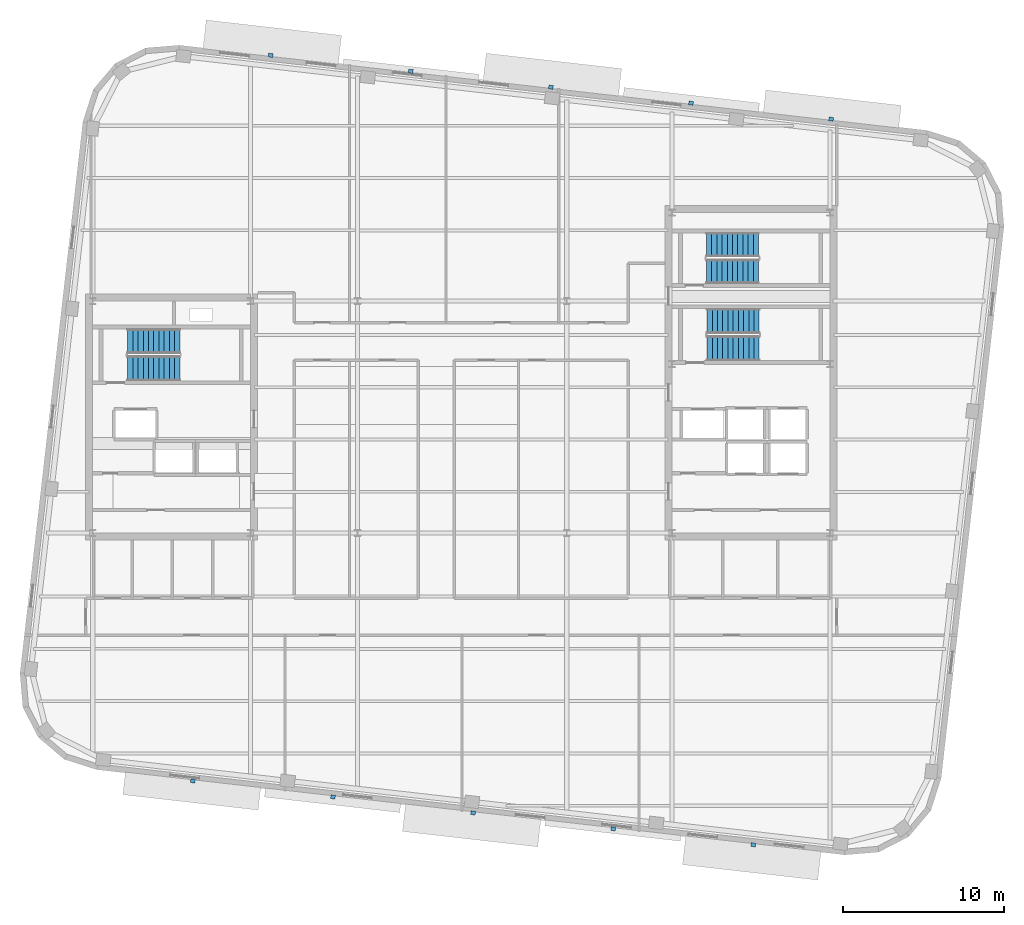
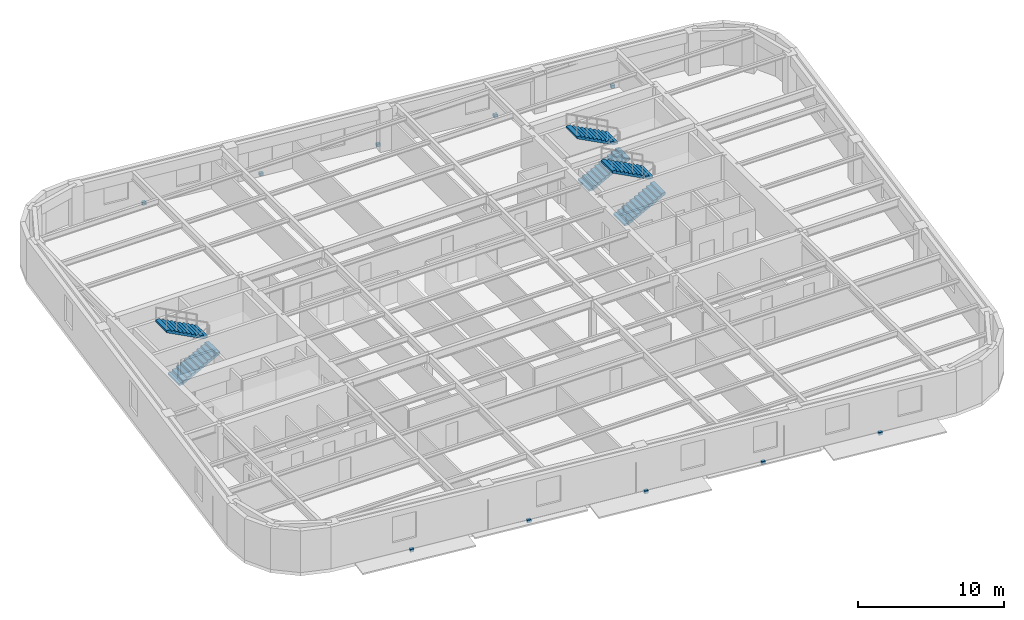
# One storey, part 9 of 13: 10 discrete accessories, 6 stair flights, 3 elements without a shape of their own.
"""IFC4 building model written with IfcOpenShell, lengths in metres."""

from ifc_helpers import new_model, si_unit, direction, frame, origin, origin_2d, place, context, subcontext, project, spatial, polyline, rectangle, outline, extrude, material, type_object, element, aggregate, save


model = new_model("IFC4")

# Units and contexts
model_context = context("Model", 3, precision=1e-05, world=origin(), true_north=direction((0.0, 1.0)))
body_context = subcontext(model_context, "Body", "Model", "MODEL_VIEW")
ifc_project = project(units=[si_unit("LENGTHUNIT", "METRE"), si_unit("AREAUNIT", "SQUARE_METRE"), si_unit("VOLUMEUNIT", "CUBIC_METRE"), si_unit("PLANEANGLEUNIT", "RADIAN"), si_unit("MASSUNIT", "GRAM", prefix="KILO")], contexts=[model_context])

# Site, building, storey
site_placement = place(None, origin())
site = spatial("IfcSite", under=ifc_project, at=site_placement, CompositionType="ELEMENT")
building_placement = place(site_placement, origin())
building = spatial("IfcBuilding", under=site, at=building_placement, Name="Kolvaren Arena Tower", CompositionType="ELEMENT")
storey_placement = place(building_placement, frame((0.0, 0.0, 228.449951171875)))
storey = spatial("IfcBuildingStorey", under=building, at=storey_placement, Name="L55", CompositionType="ELEMENT", Elevation=228.449951171875)

# Stair, stair flights
ifc_material_1 = material(Name="Concrete 45 MPa", Category="concrete")
stair_type_1 = type_object("IfcStairType", Name="STAIR-CORE-150", PredefinedType="HALF_TURN_STAIR", material=ifc_material_1)
stair_1_placement = place(storey_placement, origin())
stair_1 = element("IfcStair", 1, at=stair_1_placement, inside=storey, type_object=stair_type_1, Name="L55 ST-E2", PredefinedType="HALF_TURN_STAIR")
stair_flight_type_1 = type_object("IfcStairFlightType", Name="FLT-150", PredefinedType="STRAIGHT", material=ifc_material_1)
stair_flight_1_placement = place(storey_placement, frame((52.679931640625, 35.699951171875, 0.0), z_axis=(0.0, 0.0, 1.0), x_axis=(1.0, 0.0, 0.0)))
stair_flight_1 = element("IfcStairFlight", 2, at=stair_flight_1_placement, type_object=stair_flight_type_1, Name="ST-E2 flight 1", NumberOfRisers=11, NumberOfTreads=10, PredefinedType="STRAIGHT", RiserHeight=0.170454545, TreadLength=0.324, context=body_context, shape_type="SweptSolid", body=[
    extrude(outline(polyline([(0.0, 0.0), (0.0, 0.17041015625), (0.323974609375, 0.17041015625), (0.323974609375, 0.3408203125), (0.64794921875, 0.3408203125), (0.64794921875, 0.511474609375), (0.971923828125, 0.511474609375), (0.971923828125, 0.681884765625), (1.2958984375, 0.681884765625), (1.2958984375, 0.852294921875), (1.6201171875, 0.852294921875), (1.6201171875, 1.022705078125), (1.944091796875, 1.022705078125), (1.944091796875, 1.193115234375), (2.26806640625, 1.193115234375), (2.26806640625, 1.363525390625), (2.592041015625, 1.363525390625), (2.592041015625, 1.5341796875), (2.916015625, 1.5341796875), (2.916015625, 1.70458984375), (3.239990234375, 1.70458984375), (3.239990234375, 1.875), (3.239990234375, 1.53515625), (0.322021484375, 0.0), (0.0, 0.0)])), frame((0.0, 0.75, 0.0), z_axis=(0.0, -1.0, 0.0), x_axis=(1.0, 0.0, 0.0)), (0.0, 0.0, 1.0), 1.5),
])
stair_flight_2_placement = place(storey_placement, frame((55.919921875, 37.35009765625, 1.875), z_axis=(0.0, 0.0, 1.0), x_axis=(-1.0, 0.0, 0.0)))
stair_flight_2 = element("IfcStairFlight", 3, at=stair_flight_2_placement, type_object=stair_flight_type_1, Name="ST-E2 flight 2", NumberOfRisers=11, NumberOfTreads=10, PredefinedType="STRAIGHT", RiserHeight=0.170454545, TreadLength=0.324, context=body_context, shape_type="SweptSolid", body=[
    extrude(outline(polyline([(0.0, 0.0), (0.0, 0.17041015625), (0.323974609375, 0.17041015625), (0.323974609375, 0.3408203125), (0.64794921875, 0.3408203125), (0.64794921875, 0.511474609375), (0.971923828125, 0.511474609375), (0.971923828125, 0.681884765625), (1.2958984375, 0.681884765625), (1.2958984375, 0.852294921875), (1.6201171875, 0.852294921875), (1.6201171875, 1.022705078125), (1.944091796875, 1.022705078125), (1.944091796875, 1.193115234375), (2.26806640625, 1.193115234375), (2.26806640625, 1.363525390625), (2.592041015625, 1.363525390625), (2.592041015625, 1.5341796875), (2.916015625, 1.5341796875), (2.916015625, 1.70458984375), (3.239990234375, 1.70458984375), (3.239990234375, 1.875), (3.239990234375, 1.53515625), (0.322021484375, 0.0), (0.0, 0.0)])), frame((0.0, 0.75, 0.0), z_axis=(0.0, -1.0, 0.0), x_axis=(1.0, 0.0, 0.0)), (0.0, 0.0, 1.0), 1.5),
])
aggregate(stair_1, [stair_flight_1, stair_flight_2])

stair_type_2 = type_object("IfcStairType", Name="STAIR-CORE-165", PredefinedType="HALF_TURN_STAIR", material=ifc_material_1)
stair_2_placement = place(storey_placement, origin())
stair_2 = element("IfcStair", 4, at=stair_2_placement, inside=storey, type_object=stair_type_2, Name="L55 ST-W1", PredefinedType="HALF_TURN_STAIR")
stair_flight_type_2 = type_object("IfcStairFlightType", Name="FLT-165", PredefinedType="STRAIGHT", material=ifc_material_1)
stair_flight_3_placement = place(storey_placement, frame((16.719970703125, 29.669921875, 0.0), z_axis=(0.0, 0.0, 1.0), x_axis=(1.0, 0.0, 0.0)))
stair_flight_3 = element("IfcStairFlight", 5, at=stair_flight_3_placement, type_object=stair_flight_type_2, Name="ST-W1 flight 1", NumberOfRisers=11, NumberOfTreads=10, PredefinedType="STRAIGHT", RiserHeight=0.170454545, TreadLength=0.324, context=body_context, shape_type="SweptSolid", body=[
    extrude(outline(polyline([(0.0, 0.0), (0.0, 0.17041015625), (0.323974609375, 0.17041015625), (0.323974609375, 0.3408203125), (0.64794921875, 0.3408203125), (0.64794921875, 0.511474609375), (0.971923828125, 0.511474609375), (0.971923828125, 0.681884765625), (1.2958984375, 0.681884765625), (1.2958984375, 0.852294921875), (1.6201171875, 0.852294921875), (1.6201171875, 1.022705078125), (1.944091796875, 1.022705078125), (1.944091796875, 1.193115234375), (2.26806640625, 1.193115234375), (2.26806640625, 1.363525390625), (2.592041015625, 1.363525390625), (2.592041015625, 1.5341796875), (2.916015625, 1.5341796875), (2.916015625, 1.70458984375), (3.239990234375, 1.70458984375), (3.239990234375, 1.875), (3.239990234375, 1.53515625), (0.322021484375, 0.0), (0.0, 0.0)])), frame((0.0, 0.77001953125, 0.0), z_axis=(0.0, -1.0, 0.0), x_axis=(1.0, 0.0, 0.0)), (0.0, 0.0, 1.0), 1.5400390625),
])
stair_flight_4_placement = place(storey_placement, frame((19.9599609375, 31.360107421875, 1.875), z_axis=(0.0, 0.0, 1.0), x_axis=(-1.0, 0.0, 0.0)))
stair_flight_4 = element("IfcStairFlight", 6, at=stair_flight_4_placement, type_object=stair_flight_type_2, Name="ST-W1 flight 2", NumberOfRisers=11, NumberOfTreads=10, PredefinedType="STRAIGHT", RiserHeight=0.170454545, TreadLength=0.324, context=body_context, shape_type="SweptSolid", body=[
    extrude(outline(polyline([(0.0, 0.0), (0.0, 0.17041015625), (0.323974609375, 0.17041015625), (0.323974609375, 0.3408203125), (0.64794921875, 0.3408203125), (0.64794921875, 0.511474609375), (0.971923828125, 0.511474609375), (0.971923828125, 0.681884765625), (1.2958984375, 0.681884765625), (1.2958984375, 0.852294921875), (1.6201171875, 0.852294921875), (1.6201171875, 1.022705078125), (1.944091796875, 1.022705078125), (1.944091796875, 1.193115234375), (2.26806640625, 1.193115234375), (2.26806640625, 1.363525390625), (2.592041015625, 1.363525390625), (2.592041015625, 1.5341796875), (2.916015625, 1.5341796875), (2.916015625, 1.70458984375), (3.239990234375, 1.70458984375), (3.239990234375, 1.875), (3.239990234375, 1.53515625), (0.322021484375, 0.0), (0.0, 0.0)])), frame((0.0, 0.77001953125, 0.0), z_axis=(0.0, -1.0, 0.0), x_axis=(1.0, 0.0, 0.0)), (0.0, 0.0, 1.0), 1.5400390625),
])
aggregate(stair_2, [stair_flight_3, stair_flight_4])

stair_3_placement = place(storey_placement, origin())
stair_3 = element("IfcStair", 7, at=stair_3_placement, inside=storey, type_object=stair_type_2, Name="L55 ST-E1", PredefinedType="HALF_TURN_STAIR")
stair_flight_5_placement = place(storey_placement, frame((52.719970703125, 30.919921875, 0.0), z_axis=(0.0, 0.0, 1.0), x_axis=(1.0, 0.0, 0.0)))
stair_flight_5 = element("IfcStairFlight", 8, at=stair_flight_5_placement, type_object=stair_flight_type_2, Name="ST-E1 flight 1", NumberOfRisers=11, NumberOfTreads=10, PredefinedType="STRAIGHT", RiserHeight=0.170454545, TreadLength=0.324, context=body_context, shape_type="SweptSolid", body=[
    extrude(outline(polyline([(0.0, 0.0), (0.0, 0.17041015625), (0.323974609375, 0.17041015625), (0.323974609375, 0.3408203125), (0.64794921875, 0.3408203125), (0.64794921875, 0.511474609375), (0.971923828125, 0.511474609375), (0.971923828125, 0.681884765625), (1.2958984375, 0.681884765625), (1.2958984375, 0.852294921875), (1.6201171875, 0.852294921875), (1.6201171875, 1.022705078125), (1.944091796875, 1.022705078125), (1.944091796875, 1.193115234375), (2.26806640625, 1.193115234375), (2.26806640625, 1.363525390625), (2.592041015625, 1.363525390625), (2.592041015625, 1.5341796875), (2.916015625, 1.5341796875), (2.916015625, 1.70458984375), (3.239990234375, 1.70458984375), (3.239990234375, 1.875), (3.239990234375, 1.53515625), (0.322021484375, 0.0), (0.0, 0.0)])), frame((0.0, 0.77001953125, 0.0), z_axis=(0.0, -1.0, 0.0), x_axis=(1.0, 0.0, 0.0)), (0.0, 0.0, 1.0), 1.5400390625),
])
stair_flight_6_placement = place(storey_placement, frame((55.9599609375, 32.610107421875, 1.875), z_axis=(0.0, 0.0, 1.0), x_axis=(-1.0, 0.0, 0.0)))
stair_flight_6 = element("IfcStairFlight", 9, at=stair_flight_6_placement, type_object=stair_flight_type_2, Name="ST-E1 flight 2", NumberOfRisers=11, NumberOfTreads=10, PredefinedType="STRAIGHT", RiserHeight=0.170454545, TreadLength=0.324, context=body_context, shape_type="SweptSolid", body=[
    extrude(outline(polyline([(0.0, 0.0), (0.0, 0.17041015625), (0.323974609375, 0.17041015625), (0.323974609375, 0.3408203125), (0.64794921875, 0.3408203125), (0.64794921875, 0.511474609375), (0.971923828125, 0.511474609375), (0.971923828125, 0.681884765625), (1.2958984375, 0.681884765625), (1.2958984375, 0.852294921875), (1.6201171875, 0.852294921875), (1.6201171875, 1.022705078125), (1.944091796875, 1.022705078125), (1.944091796875, 1.193115234375), (2.26806640625, 1.193115234375), (2.26806640625, 1.363525390625), (2.592041015625, 1.363525390625), (2.592041015625, 1.5341796875), (2.916015625, 1.5341796875), (2.916015625, 1.70458984375), (3.239990234375, 1.70458984375), (3.239990234375, 1.875), (3.239990234375, 1.53515625), (0.322021484375, 0.0), (0.0, 0.0)])), frame((0.0, 0.77001953125, 0.0), z_axis=(0.0, -1.0, 0.0), x_axis=(1.0, 0.0, 0.0)), (0.0, 0.0, 1.0), 1.5400390625),
])
aggregate(stair_3, [stair_flight_5, stair_flight_6])

# Discrete accessories
ifc_material_2 = material(Name="Stainless steel facade support bracket", Category="steel")
discrete_accessory_type = type_object("IfcDiscreteAccessoryType", Name="ACC-BRKT-1", PredefinedType="BRACKET", material=ifc_material_2)
for number, where, z_axis, x_axis, name in (
    (10, (25.60986328125, 49.12451171875, -0.18017578125), (0.0, 0.0, 1.0), (0.993571658098, -0.113204947878, 0.0), "Sunshade Support Bracket (L55)"),
    (11, (34.313720703125, 48.1328125, -0.18017578125), (0.0, 0.0, 1.0), (0.993571658098, -0.113204947878, 0.0), "Sunshade Support Bracket (L55)"),
    (12, (43.017333984375, 47.141357421875, -0.18017578125), (0.0, 0.0, 1.0), (0.993571658098, -0.113204947878, 0.0), "Sunshade Support Bracket (L55)"),
    (13, (51.720947265625, 46.149658203125, -0.18017578125), (0.0, 0.0, 1.0), (0.993571658098, -0.113204947878, 0.0), "Sunshade Support Bracket (L55)"),
    (14, (60.424560546875, 45.157958984375, -0.18017578125), (0.0, 0.0, 1.0), (0.993571658098, -0.113204947878, 0.0), "Sunshade Support Bracket (L55)"),
    (15, (55.590087890625, 0.075439453125, -0.18017578125), (0.0, 0.0, 1.0), (-0.993571658098, 0.113204947878, 0.0), "Sunshade Support Bracket (L55)"),
    (16, (46.886474609375, 1.067138671875, -0.18017578125), (0.0, 0.0, 1.0), (-0.993571658098, 0.113204947878, 0.0), "Sunshade Support Bracket (L55)"),
    (17, (38.1826171875, 2.05859375, -0.18017578125), (0.0, 0.0, 1.0), (-0.993571658098, 0.113204947878, 0.0), "Sunshade Support Bracket (L55)"),
    (18, (29.47900390625, 3.05029296875, -0.18017578125), (0.0, 0.0, 1.0), (-0.993571658098, 0.113204947878, 0.0), "Sunshade Support Bracket (L55)"),
    (19, (20.775390625, 4.0419921875, -0.18017578125), (0.0, 0.0, 1.0), (-0.993571658098, 0.113204947878, 0.0), "Sunshade Support Bracket (L55)"),
):
    element("IfcDiscreteAccessory", number, at=place(storey_placement, frame(where, z_axis=z_axis, x_axis=x_axis)), inside=storey, type_object=discrete_accessory_type, Name=name, PredefinedType="BRACKET", context=body_context, shape_type="SweptSolid", body=[
        extrude(rectangle(XDim=0.280029296875, YDim=0.239990234375, at=origin_2d()), origin(), (0.0, 0.0, 1.0), 0.239990234375),
    ])

save(model, "model.ifc")
